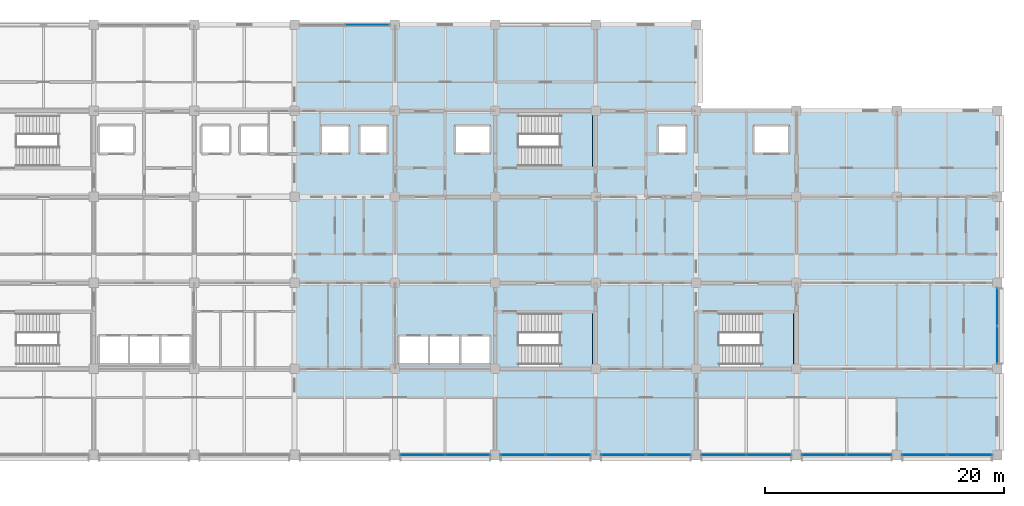
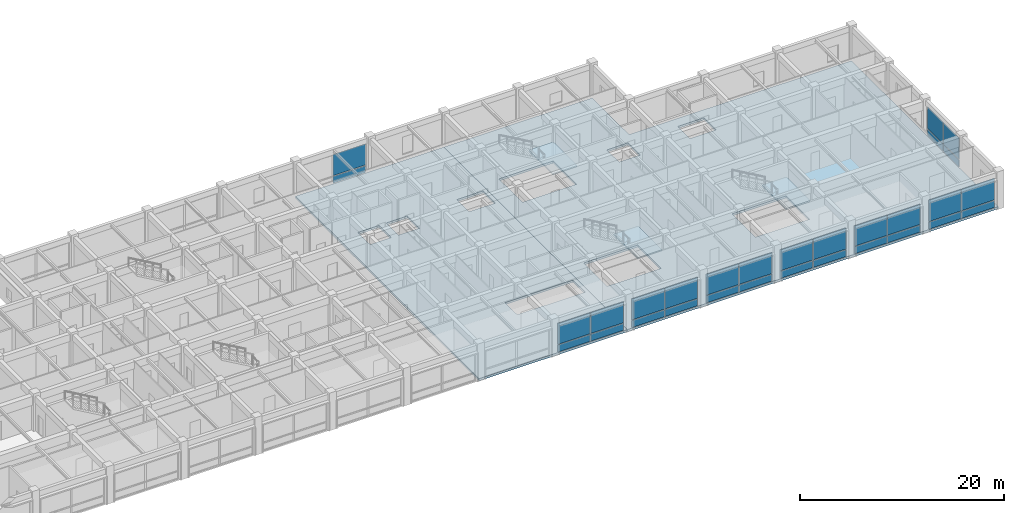
# One storey, part 13 of 30: 30 plates, 5 slabs, 11 elements without a shape of their own.
"""IFC4 building model written with IfcOpenShell, lengths in metres."""

from ifc_helpers import new_model, si_unit, direction, frame, origin, origin_2d, place, context, subcontext, project, spatial, polyline, rectangle, outline, extrude, material, layer, layer_set, type_object, element, aggregate, save


model = new_model("IFC4")

# Units and contexts
model_context = context("Model", 3, precision=1e-05, world=origin(), true_north=direction((0.0, 1.0)))
body_context = subcontext(model_context, "Body", "Model", "MODEL_VIEW")
ifc_project = project(units=[si_unit("LENGTHUNIT", "METRE"), si_unit("AREAUNIT", "SQUARE_METRE"), si_unit("VOLUMEUNIT", "CUBIC_METRE"), si_unit("PLANEANGLEUNIT", "RADIAN"), si_unit("MASSUNIT", "GRAM", prefix="KILO")], contexts=[model_context])

# Site, building, storey
site_placement = place(None, origin())
site = spatial("IfcSite", under=ifc_project, at=site_placement, CompositionType="ELEMENT")
building_placement = place(site_placement, origin())
building = spatial("IfcBuilding", under=site, at=building_placement, Name="Chengyuan Square Courthouse", CompositionType="ELEMENT")
storey_placement = place(building_placement, frame((0.0, 0.0, 30.60009765625)))
storey = spatial("IfcBuildingStorey", under=building, at=storey_placement, Name="L07", CompositionType="ELEMENT", Elevation=30.60009765625)

# Curtain wall, plates
ifc_material_1 = material(Name="Unitised Aluminium and Triple Low-E Glass", Category="aluminium")
ifc_layer_1 = layer(ifc_material_1, 0.199951171875)
ifc_layer_set_1 = layer_set([ifc_layer_1], Name="Unitised Aluminium and Triple Low-E Glass")
curtain_wall_type_1 = type_object("IfcCurtainWallType", Name="CW-19", PredefinedType="USERDEFINED", material=ifc_layer_set_1)
curtain_wall_1_placement = place(storey_placement, origin())
curtain_wall_1 = element("IfcCurtainWall", 1, at=curtain_wall_1_placement, inside=storey, type_object=curtain_wall_type_1, Name="Unitised Curtain Wall CW-L07-213", ObjectType="UNITISED CURTAIN WALL", PredefinedType="USERDEFINED")
ifc_material_2 = material(Name="Triple Low-E Insulating Glass", Category="glass")
ifc_layer_2 = layer(ifc_material_2, 0.02392578125)
ifc_layer_set_2 = layer_set([ifc_layer_2], Name="Triple Low-E Insulating Glass")
plate_type_1 = type_object("IfcPlateType", Name="CWP-01", PredefinedType="CURTAIN_PANEL", material=ifc_layer_set_2)
plate_1_placement = place(storey_placement, frame((90.08251953125, 115.199951171875, 0.06982421875), z_axis=(0.0, 0.0, 1.0), x_axis=(1.0, 0.0, 0.0)))
plate_1 = element("IfcPlate", 2, at=plate_1_placement, type_object=plate_type_1, Name="CW-19 panel 2.1", PredefinedType="CURTAIN_PANEL", context=body_context, shape_type="SweptSolid", body=[
    extrude(rectangle(XDim=3.695068359375, YDim=0.02392578125, at=origin_2d()), origin(), (0.0, 0.0, 1.0), 0.844970703125),
])
plate_2_placement = place(storey_placement, frame((90.08251953125, 115.199951171875, 0.98486328125), z_axis=(0.0, 0.0, 1.0), x_axis=(1.0, 0.0, 0.0)))
plate_2 = element("IfcPlate", 3, at=plate_2_placement, type_object=plate_type_1, Name="CW-19 panel 2.2", PredefinedType="CURTAIN_PANEL", context=body_context, shape_type="SweptSolid", body=[
    extrude(rectangle(XDim=3.695068359375, YDim=0.02392578125, at=origin_2d()), origin(), (0.0, 0.0, 1.0), 2.534912109375),
])
aggregate(curtain_wall_1, [plate_1, plate_2])

curtain_wall_2_placement = place(storey_placement, origin())
curtain_wall_2 = element("IfcCurtainWall", 4, at=curtain_wall_2_placement, inside=storey, type_object=curtain_wall_type_1, Name="Unitised Curtain Wall CW-L07-214", ObjectType="UNITISED CURTAIN WALL", PredefinedType="USERDEFINED")
plate_3_placement = place(storey_placement, frame((94.717529296875, 79.199951171875, 0.06982421875), z_axis=(0.0, 0.0, 1.0), x_axis=(1.0, 0.0, 0.0)))
plate_3 = element("IfcPlate", 5, at=plate_3_placement, type_object=plate_type_1, Name="CW-19 panel 1.1", PredefinedType="CURTAIN_PANEL", context=body_context, shape_type="SweptSolid", body=[
    extrude(rectangle(XDim=3.695068359375, YDim=0.02392578125, at=origin_2d()), origin(), (0.0, 0.0, 1.0), 0.844970703125),
])
plate_4_placement = place(storey_placement, frame((94.717529296875, 79.199951171875, 0.98486328125), z_axis=(0.0, 0.0, 1.0), x_axis=(1.0, 0.0, 0.0)))
plate_4 = element("IfcPlate", 6, at=plate_4_placement, type_object=plate_type_1, Name="CW-19 panel 1.2", PredefinedType="CURTAIN_PANEL", context=body_context, shape_type="SweptSolid", body=[
    extrude(rectangle(XDim=3.695068359375, YDim=0.02392578125, at=origin_2d()), origin(), (0.0, 0.0, 1.0), 2.534912109375),
])
plate_5_placement = place(storey_placement, frame((98.482421875, 79.199951171875, 0.06982421875), z_axis=(0.0, 0.0, 1.0), x_axis=(1.0, 0.0, 0.0)))
plate_5 = element("IfcPlate", 7, at=plate_5_placement, type_object=plate_type_1, Name="CW-19 panel 2.1", PredefinedType="CURTAIN_PANEL", context=body_context, shape_type="SweptSolid", body=[
    extrude(rectangle(XDim=3.695068359375, YDim=0.02392578125, at=origin_2d()), origin(), (0.0, 0.0, 1.0), 0.844970703125),
])
plate_6_placement = place(storey_placement, frame((98.482421875, 79.199951171875, 0.98486328125), z_axis=(0.0, 0.0, 1.0), x_axis=(1.0, 0.0, 0.0)))
plate_6 = element("IfcPlate", 8, at=plate_6_placement, type_object=plate_type_1, Name="CW-19 panel 2.2", PredefinedType="CURTAIN_PANEL", context=body_context, shape_type="SweptSolid", body=[
    extrude(rectangle(XDim=3.695068359375, YDim=0.02392578125, at=origin_2d()), origin(), (0.0, 0.0, 1.0), 2.534912109375),
])
aggregate(curtain_wall_2, [plate_3, plate_4, plate_5, plate_6])

curtain_wall_3_placement = place(storey_placement, origin())
curtain_wall_3 = element("IfcCurtainWall", 9, at=curtain_wall_3_placement, inside=storey, type_object=curtain_wall_type_1, Name="Unitised Curtain Wall CW-L07-215", ObjectType="UNITISED CURTAIN WALL", PredefinedType="USERDEFINED")
plate_7_placement = place(storey_placement, frame((103.117431640625, 79.199951171875, 0.06982421875), z_axis=(0.0, 0.0, 1.0), x_axis=(1.0, 0.0, 0.0)))
plate_7 = element("IfcPlate", 10, at=plate_7_placement, type_object=plate_type_1, Name="CW-19 panel 1.1", PredefinedType="CURTAIN_PANEL", context=body_context, shape_type="SweptSolid", body=[
    extrude(rectangle(XDim=3.695068359375, YDim=0.02392578125, at=origin_2d()), origin(), (0.0, 0.0, 1.0), 0.844970703125),
])
plate_8_placement = place(storey_placement, frame((103.117431640625, 79.199951171875, 0.98486328125), z_axis=(0.0, 0.0, 1.0), x_axis=(1.0, 0.0, 0.0)))
plate_8 = element("IfcPlate", 11, at=plate_8_placement, type_object=plate_type_1, Name="CW-19 panel 1.2", PredefinedType="CURTAIN_PANEL", context=body_context, shape_type="SweptSolid", body=[
    extrude(rectangle(XDim=3.695068359375, YDim=0.02392578125, at=origin_2d()), origin(), (0.0, 0.0, 1.0), 2.534912109375),
])
plate_9_placement = place(storey_placement, frame((106.882568359375, 79.199951171875, 0.06982421875), z_axis=(0.0, 0.0, 1.0), x_axis=(1.0, 0.0, 0.0)))
plate_9 = element("IfcPlate", 12, at=plate_9_placement, type_object=plate_type_1, Name="CW-19 panel 2.1", PredefinedType="CURTAIN_PANEL", context=body_context, shape_type="SweptSolid", body=[
    extrude(rectangle(XDim=3.695068359375, YDim=0.02392578125, at=origin_2d()), origin(), (0.0, 0.0, 1.0), 0.844970703125),
])
plate_10_placement = place(storey_placement, frame((106.882568359375, 79.199951171875, 0.98486328125), z_axis=(0.0, 0.0, 1.0), x_axis=(1.0, 0.0, 0.0)))
plate_10 = element("IfcPlate", 13, at=plate_10_placement, type_object=plate_type_1, Name="CW-19 panel 2.2", PredefinedType="CURTAIN_PANEL", context=body_context, shape_type="SweptSolid", body=[
    extrude(rectangle(XDim=3.695068359375, YDim=0.02392578125, at=origin_2d()), origin(), (0.0, 0.0, 1.0), 2.534912109375),
])
aggregate(curtain_wall_3, [plate_7, plate_8, plate_9, plate_10])

curtain_wall_4_placement = place(storey_placement, origin())
curtain_wall_4 = element("IfcCurtainWall", 14, at=curtain_wall_4_placement, inside=storey, type_object=curtain_wall_type_1, Name="Unitised Curtain Wall CW-L07-216", ObjectType="UNITISED CURTAIN WALL", PredefinedType="USERDEFINED")
plate_11_placement = place(storey_placement, frame((111.517578125, 79.199951171875, 0.06982421875), z_axis=(0.0, 0.0, 1.0), x_axis=(1.0, 0.0, 0.0)))
plate_11 = element("IfcPlate", 15, at=plate_11_placement, type_object=plate_type_1, Name="CW-19 panel 1.1", PredefinedType="CURTAIN_PANEL", context=body_context, shape_type="SweptSolid", body=[
    extrude(rectangle(XDim=3.695068359375, YDim=0.02392578125, at=origin_2d()), origin(), (0.0, 0.0, 1.0), 0.844970703125),
])
plate_12_placement = place(storey_placement, frame((111.517578125, 79.199951171875, 0.98486328125), z_axis=(0.0, 0.0, 1.0), x_axis=(1.0, 0.0, 0.0)))
plate_12 = element("IfcPlate", 16, at=plate_12_placement, type_object=plate_type_1, Name="CW-19 panel 1.2", PredefinedType="CURTAIN_PANEL", context=body_context, shape_type="SweptSolid", body=[
    extrude(rectangle(XDim=3.695068359375, YDim=0.02392578125, at=origin_2d()), origin(), (0.0, 0.0, 1.0), 2.534912109375),
])
plate_13_placement = place(storey_placement, frame((115.282470703125, 79.199951171875, 0.06982421875), z_axis=(0.0, 0.0, 1.0), x_axis=(1.0, 0.0, 0.0)))
plate_13 = element("IfcPlate", 17, at=plate_13_placement, type_object=plate_type_1, Name="CW-19 panel 2.1", PredefinedType="CURTAIN_PANEL", context=body_context, shape_type="SweptSolid", body=[
    extrude(rectangle(XDim=3.695068359375, YDim=0.02392578125, at=origin_2d()), origin(), (0.0, 0.0, 1.0), 0.844970703125),
])
plate_14_placement = place(storey_placement, frame((115.282470703125, 79.199951171875, 0.98486328125), z_axis=(0.0, 0.0, 1.0), x_axis=(1.0, 0.0, 0.0)))
plate_14 = element("IfcPlate", 18, at=plate_14_placement, type_object=plate_type_1, Name="CW-19 panel 2.2", PredefinedType="CURTAIN_PANEL", context=body_context, shape_type="SweptSolid", body=[
    extrude(rectangle(XDim=3.695068359375, YDim=0.02392578125, at=origin_2d()), origin(), (0.0, 0.0, 1.0), 2.534912109375),
])
aggregate(curtain_wall_4, [plate_11, plate_12, plate_13, plate_14])

curtain_wall_5_placement = place(storey_placement, origin())
curtain_wall_5 = element("IfcCurtainWall", 19, at=curtain_wall_5_placement, inside=storey, type_object=curtain_wall_type_1, Name="Unitised Curtain Wall CW-L07-217", ObjectType="UNITISED CURTAIN WALL", PredefinedType="USERDEFINED")
plate_15_placement = place(storey_placement, frame((119.91748046875, 79.199951171875, 0.06982421875), z_axis=(0.0, 0.0, 1.0), x_axis=(1.0, 0.0, 0.0)))
plate_15 = element("IfcPlate", 20, at=plate_15_placement, type_object=plate_type_1, Name="CW-19 panel 1.1", PredefinedType="CURTAIN_PANEL", context=body_context, shape_type="SweptSolid", body=[
    extrude(rectangle(XDim=3.695068359375, YDim=0.02392578125, at=origin_2d()), origin(), (0.0, 0.0, 1.0), 0.844970703125),
])
plate_16_placement = place(storey_placement, frame((119.91748046875, 79.199951171875, 0.98486328125), z_axis=(0.0, 0.0, 1.0), x_axis=(1.0, 0.0, 0.0)))
plate_16 = element("IfcPlate", 21, at=plate_16_placement, type_object=plate_type_1, Name="CW-19 panel 1.2", PredefinedType="CURTAIN_PANEL", context=body_context, shape_type="SweptSolid", body=[
    extrude(rectangle(XDim=3.695068359375, YDim=0.02392578125, at=origin_2d()), origin(), (0.0, 0.0, 1.0), 2.534912109375),
])
plate_17_placement = place(storey_placement, frame((123.6826171875, 79.199951171875, 0.06982421875), z_axis=(0.0, 0.0, 1.0), x_axis=(1.0, 0.0, 0.0)))
plate_17 = element("IfcPlate", 22, at=plate_17_placement, type_object=plate_type_1, Name="CW-19 panel 2.1", PredefinedType="CURTAIN_PANEL", context=body_context, shape_type="SweptSolid", body=[
    extrude(rectangle(XDim=3.695068359375, YDim=0.02392578125, at=origin_2d()), origin(), (0.0, 0.0, 1.0), 0.844970703125),
])
plate_18_placement = place(storey_placement, frame((123.6826171875, 79.199951171875, 0.98486328125), z_axis=(0.0, 0.0, 1.0), x_axis=(1.0, 0.0, 0.0)))
plate_18 = element("IfcPlate", 23, at=plate_18_placement, type_object=plate_type_1, Name="CW-19 panel 2.2", PredefinedType="CURTAIN_PANEL", context=body_context, shape_type="SweptSolid", body=[
    extrude(rectangle(XDim=3.695068359375, YDim=0.02392578125, at=origin_2d()), origin(), (0.0, 0.0, 1.0), 2.534912109375),
])
aggregate(curtain_wall_5, [plate_15, plate_16, plate_17, plate_18])

curtain_wall_6_placement = place(storey_placement, origin())
curtain_wall_6 = element("IfcCurtainWall", 24, at=curtain_wall_6_placement, inside=storey, type_object=curtain_wall_type_1, Name="Unitised Curtain Wall CW-L07-218", ObjectType="UNITISED CURTAIN WALL", PredefinedType="USERDEFINED")
plate_19_placement = place(storey_placement, frame((128.3173828125, 79.199951171875, 0.06982421875), z_axis=(0.0, 0.0, 1.0), x_axis=(1.0, 0.0, 0.0)))
plate_19 = element("IfcPlate", 25, at=plate_19_placement, type_object=plate_type_1, Name="CW-19 panel 1.1", PredefinedType="CURTAIN_PANEL", context=body_context, shape_type="SweptSolid", body=[
    extrude(rectangle(XDim=3.695068359375, YDim=0.02392578125, at=origin_2d()), origin(), (0.0, 0.0, 1.0), 0.844970703125),
])
plate_20_placement = place(storey_placement, frame((128.3173828125, 79.199951171875, 0.98486328125), z_axis=(0.0, 0.0, 1.0), x_axis=(1.0, 0.0, 0.0)))
plate_20 = element("IfcPlate", 26, at=plate_20_placement, type_object=plate_type_1, Name="CW-19 panel 1.2", PredefinedType="CURTAIN_PANEL", context=body_context, shape_type="SweptSolid", body=[
    extrude(rectangle(XDim=3.695068359375, YDim=0.02392578125, at=origin_2d()), origin(), (0.0, 0.0, 1.0), 2.445068359375),
])
plate_21_placement = place(storey_placement, frame((132.08251953125, 79.199951171875, 0.06982421875), z_axis=(0.0, 0.0, 1.0), x_axis=(1.0, 0.0, 0.0)))
plate_21 = element("IfcPlate", 27, at=plate_21_placement, type_object=plate_type_1, Name="CW-19 panel 2.1", PredefinedType="CURTAIN_PANEL", context=body_context, shape_type="SweptSolid", body=[
    extrude(rectangle(XDim=3.695068359375, YDim=0.02392578125, at=origin_2d()), origin(), (0.0, 0.0, 1.0), 0.844970703125),
])
plate_22_placement = place(storey_placement, frame((132.08251953125, 79.199951171875, 0.98486328125), z_axis=(0.0, 0.0, 1.0), x_axis=(1.0, 0.0, 0.0)))
plate_22 = element("IfcPlate", 28, at=plate_22_placement, type_object=plate_type_1, Name="CW-19 panel 2.2", PredefinedType="CURTAIN_PANEL", context=body_context, shape_type="SweptSolid", body=[
    extrude(rectangle(XDim=3.695068359375, YDim=0.02392578125, at=origin_2d()), origin(), (0.0, 0.0, 1.0), 2.445068359375),
])
aggregate(curtain_wall_6, [plate_19, plate_20, plate_21, plate_22])

curtain_wall_7_placement = place(storey_placement, origin())
curtain_wall_7 = element("IfcCurtainWall", 29, at=curtain_wall_7_placement, inside=storey, type_object=curtain_wall_type_1, Name="Unitised Curtain Wall CW-L07-219", ObjectType="UNITISED CURTAIN WALL", PredefinedType="USERDEFINED")
plate_23_placement = place(storey_placement, frame((136.717529296875, 79.199951171875, 0.06982421875), z_axis=(0.0, 0.0, 1.0), x_axis=(1.0, 0.0, 0.0)))
plate_23 = element("IfcPlate", 30, at=plate_23_placement, type_object=plate_type_1, Name="CW-19 panel 1.1", PredefinedType="CURTAIN_PANEL", context=body_context, shape_type="SweptSolid", body=[
    extrude(rectangle(XDim=3.695068359375, YDim=0.02392578125, at=origin_2d()), origin(), (0.0, 0.0, 1.0), 0.844970703125),
])
plate_24_placement = place(storey_placement, frame((136.717529296875, 79.199951171875, 0.98486328125), z_axis=(0.0, 0.0, 1.0), x_axis=(1.0, 0.0, 0.0)))
plate_24 = element("IfcPlate", 31, at=plate_24_placement, type_object=plate_type_1, Name="CW-19 panel 1.2", PredefinedType="CURTAIN_PANEL", context=body_context, shape_type="SweptSolid", body=[
    extrude(rectangle(XDim=3.695068359375, YDim=0.02392578125, at=origin_2d()), origin(), (0.0, 0.0, 1.0), 2.594970703125),
])
plate_25_placement = place(storey_placement, frame((140.482421875, 79.199951171875, 0.06982421875), z_axis=(0.0, 0.0, 1.0), x_axis=(1.0, 0.0, 0.0)))
plate_25 = element("IfcPlate", 32, at=plate_25_placement, type_object=plate_type_1, Name="CW-19 panel 2.1", PredefinedType="CURTAIN_PANEL", context=body_context, shape_type="SweptSolid", body=[
    extrude(rectangle(XDim=3.695068359375, YDim=0.02392578125, at=origin_2d()), origin(), (0.0, 0.0, 1.0), 0.844970703125),
])
plate_26_placement = place(storey_placement, frame((140.482421875, 79.199951171875, 0.98486328125), z_axis=(0.0, 0.0, 1.0), x_axis=(1.0, 0.0, 0.0)))
plate_26 = element("IfcPlate", 33, at=plate_26_placement, type_object=plate_type_1, Name="CW-19 panel 2.2", PredefinedType="CURTAIN_PANEL", context=body_context, shape_type="SweptSolid", body=[
    extrude(rectangle(XDim=3.695068359375, YDim=0.02392578125, at=origin_2d()), origin(), (0.0, 0.0, 1.0), 2.594970703125),
])
aggregate(curtain_wall_7, [plate_23, plate_24, plate_25, plate_26])

ifc_layer_3 = layer(ifc_material_1, 0.219970703125)
ifc_layer_set_3 = layer_set([ifc_layer_3], Name="Unitised Aluminium and Triple Low-E Glass")
curtain_wall_type_2 = type_object("IfcCurtainWallType", Name="CW-08", PredefinedType="USERDEFINED", material=ifc_layer_set_3)
curtain_wall_8_placement = place(storey_placement, origin())
curtain_wall_8 = element("IfcCurtainWall", 34, at=curtain_wall_8_placement, inside=storey, type_object=curtain_wall_type_2, Name="Unitised Curtain Wall CW-L07-220", ObjectType="UNITISED CURTAIN WALL", PredefinedType="USERDEFINED")
ifc_layer_4 = layer(ifc_material_2, 0.031982421875)
ifc_layer_set_4 = layer_set([ifc_layer_4], Name="Triple Low-E Insulating Glass")
plate_type_2 = type_object("IfcPlateType", Name="CWP-02", PredefinedType="CURTAIN_PANEL", material=ifc_layer_set_4)
plate_27_placement = place(storey_placement, frame((142.800048828125, 88.419921875, 0.079833984375), z_axis=(0.0, 0.0, 1.0), x_axis=(0.0, 1.0, 0.0)))
plate_27 = element("IfcPlate", 35, at=plate_27_placement, type_object=plate_type_2, Name="CW-08 panel 1.1", PredefinedType="CURTAIN_PANEL", context=body_context, shape_type="SweptSolid", body=[
    extrude(rectangle(XDim=3.080078125, YDim=0.031982421875, at=origin_2d()), origin(), (0.0, 0.0, 1.0), 0.830078125),
])
plate_28_placement = place(storey_placement, frame((142.800048828125, 88.419921875, 0.98974609375), z_axis=(0.0, 0.0, 1.0), x_axis=(0.0, 1.0, 0.0)))
plate_28 = element("IfcPlate", 36, at=plate_28_placement, type_object=plate_type_2, Name="CW-08 panel 1.2", PredefinedType="CURTAIN_PANEL", context=body_context, shape_type="SweptSolid", body=[
    extrude(rectangle(XDim=3.080078125, YDim=0.031982421875, at=origin_2d()), origin(), (0.0, 0.0, 1.0), 2.580078125),
])
plate_29_placement = place(storey_placement, frame((142.800048828125, 91.580078125, 0.079833984375), z_axis=(0.0, 0.0, 1.0), x_axis=(0.0, 1.0, 0.0)))
plate_29 = element("IfcPlate", 37, at=plate_29_placement, type_object=plate_type_2, Name="CW-08 panel 2.1", PredefinedType="CURTAIN_PANEL", context=body_context, shape_type="SweptSolid", body=[
    extrude(rectangle(XDim=3.080078125, YDim=0.031982421875, at=origin_2d()), origin(), (0.0, 0.0, 1.0), 0.830078125),
])
plate_30_placement = place(storey_placement, frame((142.800048828125, 91.580078125, 0.98974609375), z_axis=(0.0, 0.0, 1.0), x_axis=(0.0, 1.0, 0.0)))
plate_30 = element("IfcPlate", 38, at=plate_30_placement, type_object=plate_type_2, Name="CW-08 panel 2.2", PredefinedType="CURTAIN_PANEL", context=body_context, shape_type="SweptSolid", body=[
    extrude(rectangle(XDim=3.080078125, YDim=0.031982421875, at=origin_2d()), origin(), (0.0, 0.0, 1.0), 2.580078125),
])
aggregate(curtain_wall_8, [plate_27, plate_28, plate_29, plate_30])

# Stair, slab
ifc_material_3 = material(Name="Concrete C40", Category="concrete")
stair_type_1 = type_object("IfcStairType", Name="ST-TYPE-02", PredefinedType="HALF_TURN_STAIR", material=ifc_material_3)
stair_1_placement = place(storey_placement, origin())
stair_1 = element("IfcStair", 39, at=stair_1_placement, inside=storey, type_object=stair_type_1, Name="Smoke-Proof Exit Stair ST-2 (L07 to L08)", PredefinedType="HALF_TURN_STAIR")
ifc_layer_5 = layer(ifc_material_3, 0.179931640625)
ifc_layer_set_5 = layer_set([ifc_layer_5], Name="Concrete C40")
slab_type_1 = type_object("IfcSlabType", Name="SL-LND2", PredefinedType="LANDING", material=ifc_layer_set_5)
slab_1_placement = place(storey_placement, frame((0.0, 0.0, 2.06982421875)))
slab_1 = element("IfcSlab", 40, at=slab_1_placement, type_object=slab_type_1, Name="ST-2 landing 1", PredefinedType="LANDING", context=body_context, shape_type="SweptSolid", body=[
    extrude(outline(polyline([(106.169921875, 103.159912109375), (108.93994140625, 103.159912109375), (108.93994140625, 107.840087890625), (106.169921875, 107.840087890625), (106.169921875, 103.159912109375)])), origin(), (0.0, 0.0, 1.0), 0.18017578125),
])
aggregate(stair_1, [slab_1])

stair_type_2 = type_object("IfcStairType", Name="ST-TYPE-04", PredefinedType="HALF_TURN_STAIR", material=ifc_material_3)
stair_2_placement = place(storey_placement, origin())
stair_2 = element("IfcStair", 41, at=stair_2_placement, inside=storey, type_object=stair_type_2, Name="Smoke-Proof Exit Stair ST-4 (L07 to L08)", PredefinedType="HALF_TURN_STAIR")
slab_2_placement = place(storey_placement, frame((0.0, 0.0, 2.06982421875)))
slab_2 = element("IfcSlab", 42, at=slab_2_placement, type_object=slab_type_1, Name="ST-4 landing 1", PredefinedType="LANDING", context=body_context, shape_type="SweptSolid", body=[
    extrude(outline(polyline([(106.169921875, 86.56005859375), (108.93994140625, 86.56005859375), (108.93994140625, 91.239990234375), (106.169921875, 91.239990234375), (106.169921875, 86.56005859375)])), origin(), (0.0, 0.0, 1.0), 0.18017578125),
])
aggregate(stair_2, [slab_2])

stair_type_3 = type_object("IfcStairType", Name="ST-TYPE-06", PredefinedType="HALF_TURN_STAIR", material=ifc_material_3)
stair_3_placement = place(storey_placement, origin())
stair_3 = element("IfcStair", 43, at=stair_3_placement, inside=storey, type_object=stair_type_3, Name="Smoke-Proof Exit Stair ST-6 (L07 to L08)", PredefinedType="HALF_TURN_STAIR")
slab_3_placement = place(storey_placement, frame((0.0, 0.0, 2.06982421875)))
slab_3 = element("IfcSlab", 44, at=slab_3_placement, type_object=slab_type_1, Name="ST-6 landing 1", PredefinedType="LANDING", context=body_context, shape_type="SweptSolid", body=[
    extrude(outline(polyline([(122.969970703125, 86.56005859375), (125.739990234375, 86.56005859375), (125.739990234375, 91.239990234375), (122.969970703125, 91.239990234375), (122.969970703125, 86.56005859375)])), origin(), (0.0, 0.0, 1.0), 0.18017578125),
])
aggregate(stair_3, [slab_3])

# Slabs
ifc_material_4 = material(Name="Post-tensioned Concrete C50", Category="concrete")
ifc_layer_6 = layer(ifc_material_4, 0.260009765625)
ifc_layer_set_6 = layer_set([ifc_layer_6], Name="Post-tensioned Concrete C50")
slab_type_2 = type_object("IfcSlabType", Name="SL-PT26", PredefinedType="FLOOR", material=ifc_layer_set_6)
slab_4_placement = place(storey_placement, frame((0.0, 0.0, -0.260009765625)))
element("IfcSlab", 45, at=slab_4_placement, inside=storey, type_object=slab_type_2, Name="Suspended Floor Slab SL-L07-03", PredefinedType="FLOOR", context=body_context, shape_type="SweptSolid", body=[
    extrude(outline(polyline([(92.39990234375, 115.199951171875), (100.800048828125, 115.199951171875), (100.800048828125, 79.199951171875), (92.39990234375, 79.199951171875), (84.0, 79.199951171875), (84.0, 115.199951171875), (92.39990234375, 115.199951171875)]), holes=[polyline([(92.699951171875, 89.199951171875), (92.699951171875, 86.800048828125), (95.25, 86.800048828125), (97.85009765625, 86.800048828125), (100.39990234375, 86.800048828125), (100.39990234375, 89.199951171875), (97.85009765625, 89.199951171875), (95.25, 89.199951171875), (92.699951171875, 89.199951171875)]), polyline([(88.60009765625, 106.800048828125), (86.199951171875, 106.800048828125), (86.199951171875, 104.39990234375), (88.60009765625, 104.39990234375), (88.60009765625, 106.800048828125)]), polyline([(91.800048828125, 106.800048828125), (89.39990234375, 106.800048828125), (89.39990234375, 104.39990234375), (91.800048828125, 104.39990234375), (91.800048828125, 106.800048828125)]), polyline([(97.39990234375, 106.800048828125), (97.39990234375, 104.39990234375), (100.39990234375, 104.39990234375), (100.39990234375, 106.800048828125), (97.39990234375, 106.800048828125)])]), origin(), (0.0, 0.0, 1.0), 0.260009765625),
])
slab_5_placement = place(storey_placement, frame((0.0, 0.0, -0.260009765625)))
element("IfcSlab", 46, at=slab_5_placement, inside=storey, type_object=slab_type_2, Name="Suspended Floor Slab SL-L07-04", PredefinedType="FLOOR", context=body_context, shape_type="SweptSolid", body=[
    extrude(outline(polyline([(109.199951171875, 115.199951171875), (117.60009765625, 115.199951171875), (117.60009765625, 108.0), (126.0, 108.0), (134.39990234375, 108.0), (142.800048828125, 108.0), (142.800048828125, 100.800048828125), (142.800048828125, 93.60009765625), (142.800048828125, 86.39990234375), (142.800048828125, 79.199951171875), (134.39990234375, 79.199951171875), (126.0, 79.199951171875), (117.60009765625, 79.199951171875), (109.199951171875, 79.199951171875), (100.800048828125, 79.199951171875), (100.800048828125, 115.199951171875), (109.199951171875, 115.199951171875)]), holes=[polyline([(108.89990234375, 91.199951171875), (102.75, 91.199951171875), (102.75, 86.60009765625), (108.89990234375, 86.60009765625), (108.89990234375, 91.199951171875)]), polyline([(125.699951171875, 91.199951171875), (119.550048828125, 91.199951171875), (119.550048828125, 86.60009765625), (125.699951171875, 86.60009765625), (125.699951171875, 91.199951171875)]), polyline([(102.75, 107.800048828125), (102.75, 103.199951171875), (108.89990234375, 103.199951171875), (108.89990234375, 107.800048828125), (102.75, 107.800048828125)]), polyline([(116.800048828125, 106.800048828125), (114.39990234375, 106.800048828125), (114.39990234375, 104.39990234375), (116.800048828125, 104.39990234375), (116.800048828125, 106.800048828125)]), polyline([(125.39990234375, 106.800048828125), (122.39990234375, 106.800048828125), (122.39990234375, 104.39990234375), (125.39990234375, 104.39990234375), (125.39990234375, 106.800048828125)])]), origin(), (0.0, 0.0, 1.0), 0.260009765625),
])

save(model, "model.ifc")
